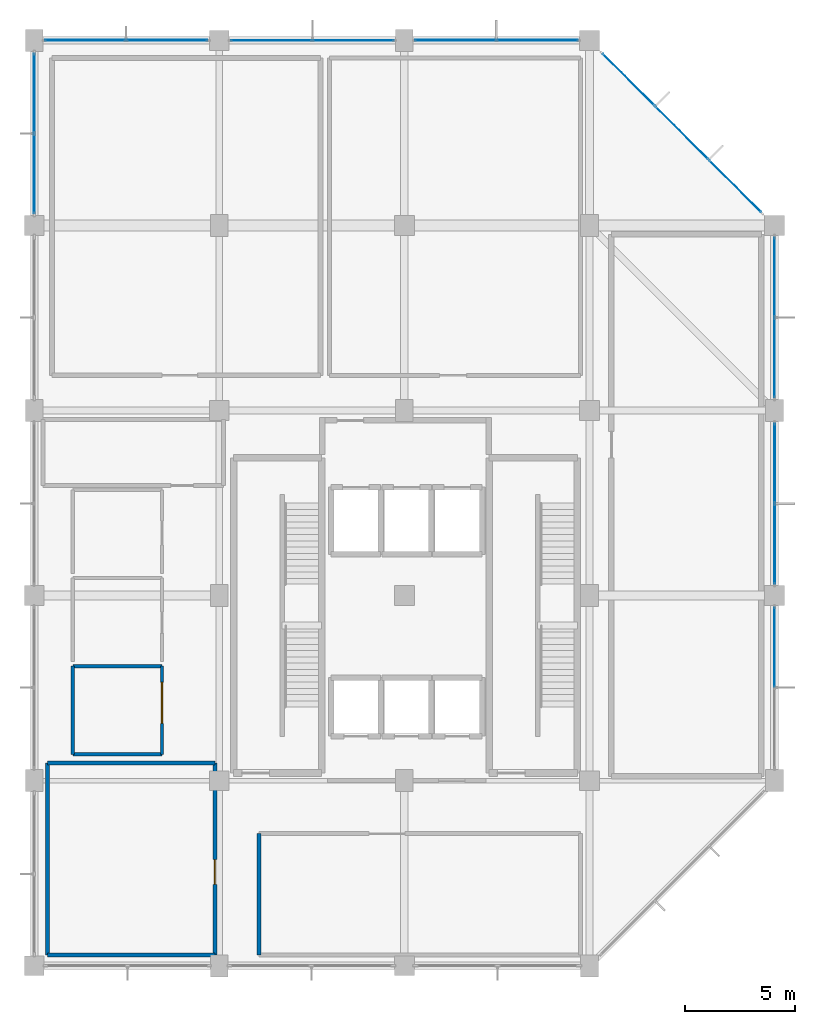
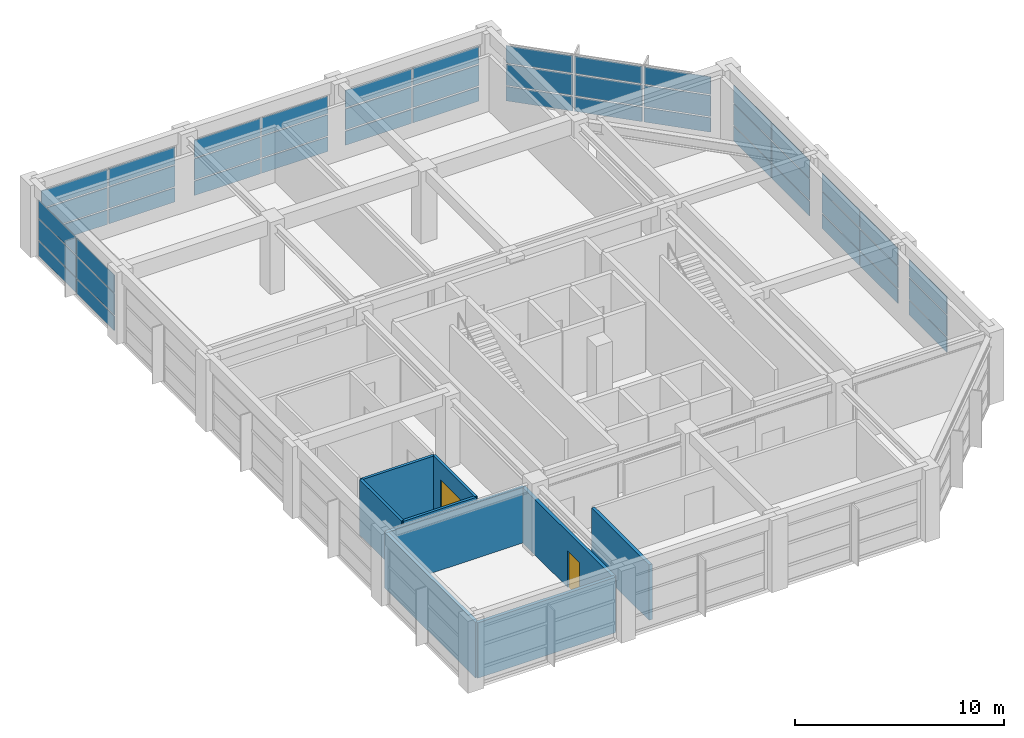
# One storey, part 9 of 12: 48 plates, 9 walls, 2 doors, 2 openings, 8 elements without a shape of their own.
"""IFC4 building model written with IfcOpenShell, lengths in metres."""

from ifc_helpers import new_model, si_unit, direction, frame, frame_2d, origin, origin_2d, place, context, subcontext, project, spatial, rectangle, extrude, material, layer, layer_set, type_object, element, fill, aggregate, save


model = new_model("IFC4")

# Units and contexts
model_context = context("Model", 3, precision=1e-05, world=origin(), true_north=direction((0.0, 1.0)))
body_context = subcontext(model_context, "Body", "Model", "MODEL_VIEW")
ifc_project = project(units=[si_unit("LENGTHUNIT", "METRE"), si_unit("AREAUNIT", "SQUARE_METRE"), si_unit("VOLUMEUNIT", "CUBIC_METRE"), si_unit("PLANEANGLEUNIT", "RADIAN"), si_unit("MASSUNIT", "GRAM", prefix="KILO")], contexts=[model_context])

# Site, building, storey
site_placement = place(None, origin())
site = spatial("IfcSite", under=ifc_project, at=site_placement, CompositionType="ELEMENT")
building_placement = place(site_placement, origin())
building = spatial("IfcBuilding", under=site, at=building_placement, Name="Xuanlan Plaza Opera House", CompositionType="ELEMENT")
storey_placement = place(building_placement, frame((0.0, 0.0, 65.699951171875)))
storey = spatial("IfcBuildingStorey", under=building, at=storey_placement, Name="L15", CompositionType="ELEMENT", Elevation=65.699951171875)

# Curtain wall, plates
ifc_material_1 = material(Name="Anodised Aluminium 6063-T6 and Low-E Glass", Category="aluminium")
curtain_wall_type_1 = type_object("IfcCurtainWallType", Name="ENV-CW-CW-01", PredefinedType="USERDEFINED", material=ifc_material_1)
curtain_wall_1_placement = place(storey_placement, origin())
curtain_wall_1 = element("IfcCurtainWall", 1, at=curtain_wall_1_placement, inside=storey, type_object=curtain_wall_type_1, Name="Unitised Curtain Wall L15-008", ObjectType="UNITISED CURTAIN WALL", PredefinedType="USERDEFINED")
ifc_material_2 = material(Name="Laminated Acoustic Double Glazing", Category="glass")
ifc_layer_1 = layer(ifc_material_2, 0.028076171875)
ifc_layer_set_1 = layer_set([ifc_layer_1], Name="Laminated Acoustic Double Glazing")
plate_type_1 = type_object("IfcPlateType", Name="ENV-CWP-01", PredefinedType="CURTAIN_PANEL", material=ifc_layer_set_1)
plate_1_placement = place(storey_placement, frame((157.818115234375, 77.3818359375, 0.0751953125), z_axis=(0.0, 0.0, 1.0), x_axis=(-0.707106781187, 0.707106781187, 0.0)))
plate_1 = element("IfcPlate", 2, at=plate_1_placement, type_object=plate_type_1, Name="CW-01 panel 1.1", PredefinedType="CURTAIN_PANEL", context=body_context, shape_type="SweptSolid", body=[
    extrude(rectangle(XDim=3.30712890625, YDim=0.028076171875, at=origin_2d()), origin(), (0.0, 0.0, 1.0), 0.83740234375),
])
plate_2_placement = place(storey_placement, frame((157.818115234375, 77.3818359375, 0.987548828125), z_axis=(0.0, 0.0, 1.0), x_axis=(-0.707106781187, 0.707106781187, 0.0)))
plate_2 = element("IfcPlate", 3, at=plate_2_placement, type_object=plate_type_1, Name="CW-01 panel 1.2", PredefinedType="CURTAIN_PANEL", context=body_context, shape_type="SweptSolid", body=[
    extrude(rectangle(XDim=3.30712890625, YDim=0.028076171875, at=origin_2d()), origin(), (0.0, 0.0, 1.0), 1.22509765625),
])
plate_3_placement = place(storey_placement, frame((157.818115234375, 77.3818359375, 2.28759765625), z_axis=(0.0, 0.0, 1.0), x_axis=(-0.707106781187, 0.707106781187, 0.0)))
plate_3 = element("IfcPlate", 4, at=plate_3_placement, type_object=plate_type_1, Name="CW-01 panel 1.3", PredefinedType="CURTAIN_PANEL", context=body_context, shape_type="SweptSolid", body=[
    extrude(rectangle(XDim=3.30712890625, YDim=0.028076171875, at=origin_2d()), origin(), (0.0, 0.0, 1.0), 1.017578125),
])
plate_4_placement = place(storey_placement, frame((155.39990234375, 79.800048828125, 0.0751953125), z_axis=(0.0, 0.0, 1.0), x_axis=(-0.707106781187, 0.707106781187, 0.0)))
plate_4 = element("IfcPlate", 5, at=plate_4_placement, type_object=plate_type_1, Name="CW-01 panel 2.1", PredefinedType="CURTAIN_PANEL", context=body_context, shape_type="SweptSolid", body=[
    extrude(rectangle(XDim=3.352294921875, YDim=0.028076171875, at=origin_2d()), origin(), (0.0, 0.0, 1.0), 0.83740234375),
])
plate_5_placement = place(storey_placement, frame((155.39990234375, 79.800048828125, 0.987548828125), z_axis=(0.0, 0.0, 1.0), x_axis=(-0.707106781187, 0.707106781187, 0.0)))
plate_5 = element("IfcPlate", 6, at=plate_5_placement, type_object=plate_type_1, Name="CW-01 panel 2.2", PredefinedType="CURTAIN_PANEL", context=body_context, shape_type="SweptSolid", body=[
    extrude(rectangle(XDim=3.352294921875, YDim=0.028076171875, at=origin_2d()), origin(), (0.0, 0.0, 1.0), 1.22509765625),
])
plate_6_placement = place(storey_placement, frame((155.39990234375, 79.800048828125, 2.28759765625), z_axis=(0.0, 0.0, 1.0), x_axis=(-0.707106781187, 0.707106781187, 0.0)))
plate_6 = element("IfcPlate", 7, at=plate_6_placement, type_object=plate_type_1, Name="CW-01 panel 2.3", PredefinedType="CURTAIN_PANEL", context=body_context, shape_type="SweptSolid", body=[
    extrude(rectangle(XDim=3.352294921875, YDim=0.028076171875, at=origin_2d()), origin(), (0.0, 0.0, 1.0), 1.017578125),
])
plate_7_placement = place(storey_placement, frame((152.98193359375, 82.218017578125, 0.0751953125), z_axis=(0.0, 0.0, 1.0), x_axis=(-0.707106781187, 0.707106781187, 0.0)))
plate_7 = element("IfcPlate", 8, at=plate_7_placement, type_object=plate_type_1, Name="CW-01 panel 3.1", PredefinedType="CURTAIN_PANEL", context=body_context, shape_type="SweptSolid", body=[
    extrude(rectangle(XDim=3.30712890625, YDim=0.028076171875, at=origin_2d()), origin(), (0.0, 0.0, 1.0), 0.83740234375),
])
plate_8_placement = place(storey_placement, frame((152.98193359375, 82.218017578125, 0.987548828125), z_axis=(0.0, 0.0, 1.0), x_axis=(-0.707106781187, 0.707106781187, 0.0)))
plate_8 = element("IfcPlate", 9, at=plate_8_placement, type_object=plate_type_1, Name="CW-01 panel 3.2", PredefinedType="CURTAIN_PANEL", context=body_context, shape_type="SweptSolid", body=[
    extrude(rectangle(XDim=3.30712890625, YDim=0.028076171875, at=origin_2d()), origin(), (0.0, 0.0, 1.0), 1.22509765625),
])
plate_9_placement = place(storey_placement, frame((152.98193359375, 82.218017578125, 2.28759765625), z_axis=(0.0, 0.0, 1.0), x_axis=(-0.707106781187, 0.707106781187, 0.0)))
plate_9 = element("IfcPlate", 10, at=plate_9_placement, type_object=plate_type_1, Name="CW-01 panel 3.3", PredefinedType="CURTAIN_PANEL", context=body_context, shape_type="SweptSolid", body=[
    extrude(rectangle(XDim=3.30712890625, YDim=0.028076171875, at=origin_2d()), origin(), (0.0, 0.0, 1.0), 1.017578125),
])
aggregate(curtain_wall_1, [plate_1, plate_2, plate_3, plate_4, plate_5, plate_6, plate_7, plate_8, plate_9])

curtain_wall_type_2 = type_object("IfcCurtainWallType", Name="ENV-CW-CW-02", PredefinedType="USERDEFINED", material=ifc_material_1)
curtain_wall_2_placement = place(storey_placement, origin())
curtain_wall_2 = element("IfcCurtainWall", 11, at=curtain_wall_2_placement, inside=storey, type_object=curtain_wall_type_2, Name="Unitised Curtain Wall L15-005", ObjectType="UNITISED CURTAIN WALL", PredefinedType="USERDEFINED")
ifc_layer_2 = layer(ifc_material_2, 0.031982421875)
ifc_layer_set_2 = layer_set([ifc_layer_2], Name="Laminated Acoustic Double Glazing")
plate_type_2 = type_object("IfcPlateType", Name="ENV-CWP-02", PredefinedType="CURTAIN_PANEL", material=ifc_layer_set_2)
plate_10_placement = place(storey_placement, frame((159.60009765625, 56.4599609375, 0.06982421875), z_axis=(0.0, 0.0, 1.0), x_axis=(0.0, 1.0, 0.0)))
plate_10 = element("IfcPlate", 12, at=plate_10_placement, type_object=plate_type_2, Name="CW-02 panel 2.1", PredefinedType="CURTAIN_PANEL", context=body_context, shape_type="SweptSolid", body=[
    extrude(rectangle(XDim=3.60009765625, YDim=0.031982421875, at=origin_2d()), origin(), (0.0, 0.0, 1.0), 0.844970703125),
])
plate_11_placement = place(storey_placement, frame((159.60009765625, 56.4599609375, 0.985107421875), z_axis=(0.0, 0.0, 1.0), x_axis=(0.0, 1.0, 0.0)))
plate_11 = element("IfcPlate", 13, at=plate_11_placement, type_object=plate_type_2, Name="CW-02 panel 2.2", PredefinedType="CURTAIN_PANEL", context=body_context, shape_type="SweptSolid", body=[
    extrude(rectangle(XDim=3.60009765625, YDim=0.031982421875, at=origin_2d()), origin(), (0.0, 0.0, 1.0), 1.22998046875),
])
plate_12_placement = place(storey_placement, frame((159.60009765625, 56.4599609375, 2.28515625), z_axis=(0.0, 0.0, 1.0), x_axis=(0.0, 1.0, 0.0)))
plate_12 = element("IfcPlate", 14, at=plate_12_placement, type_object=plate_type_2, Name="CW-02 panel 2.3", PredefinedType="CURTAIN_PANEL", context=body_context, shape_type="SweptSolid", body=[
    extrude(rectangle(XDim=3.60009765625, YDim=0.031982421875, at=origin_2d()), origin(), (0.0, 0.0, 1.0), 1.02490234375),
])
aggregate(curtain_wall_2, [plate_10, plate_11, plate_12])

curtain_wall_type_3 = type_object("IfcCurtainWallType", Name="ENV-CW-CW-03", PredefinedType="USERDEFINED", material=ifc_material_1)
curtain_wall_3_placement = place(storey_placement, origin())
curtain_wall_3 = element("IfcCurtainWall", 15, at=curtain_wall_3_placement, inside=storey, type_object=curtain_wall_type_3, Name="Unitised Curtain Wall L15-010", ObjectType="UNITISED CURTAIN WALL", PredefinedType="USERDEFINED")
plate_13_placement = place(storey_placement, frame((140.485107421875, 84.0, 0.06982421875), z_axis=(0.0, 0.0, 1.0), x_axis=(-1.0, 0.0, 0.0)))
plate_13 = element("IfcPlate", 16, at=plate_13_placement, type_object=plate_type_2, Name="CW-03 panel 1.1", PredefinedType="CURTAIN_PANEL", context=body_context, shape_type="SweptSolid", body=[
    extrude(rectangle(XDim=3.64990234375, YDim=0.031982421875, at=origin_2d()), origin(), (0.0, 0.0, 1.0), 0.844970703125),
])
plate_14_placement = place(storey_placement, frame((140.485107421875, 84.0, 0.985107421875), z_axis=(0.0, 0.0, 1.0), x_axis=(-1.0, 0.0, 0.0)))
plate_14 = element("IfcPlate", 17, at=plate_14_placement, type_object=plate_type_2, Name="CW-03 panel 1.2", PredefinedType="CURTAIN_PANEL", context=body_context, shape_type="SweptSolid", body=[
    extrude(rectangle(XDim=3.64990234375, YDim=0.031982421875, at=origin_2d()), origin(), (0.0, 0.0, 1.0), 1.22998046875),
])
plate_15_placement = place(storey_placement, frame((140.485107421875, 84.0, 2.28515625), z_axis=(0.0, 0.0, 1.0), x_axis=(-1.0, 0.0, 0.0)))
plate_15 = element("IfcPlate", 18, at=plate_15_placement, type_object=plate_type_2, Name="CW-03 panel 1.3", PredefinedType="CURTAIN_PANEL", context=body_context, shape_type="SweptSolid", body=[
    extrude(rectangle(XDim=3.64990234375, YDim=0.031982421875, at=origin_2d()), origin(), (0.0, 0.0, 1.0), 1.02490234375),
])
plate_16_placement = place(storey_placement, frame((136.764892578125, 84.0, 0.06982421875), z_axis=(0.0, 0.0, 1.0), x_axis=(-1.0, 0.0, 0.0)))
plate_16 = element("IfcPlate", 19, at=plate_16_placement, type_object=plate_type_2, Name="CW-03 panel 2.1", PredefinedType="CURTAIN_PANEL", context=body_context, shape_type="SweptSolid", body=[
    extrude(rectangle(XDim=3.64990234375, YDim=0.031982421875, at=origin_2d()), origin(), (0.0, 0.0, 1.0), 0.844970703125),
])
plate_17_placement = place(storey_placement, frame((136.764892578125, 84.0, 0.985107421875), z_axis=(0.0, 0.0, 1.0), x_axis=(-1.0, 0.0, 0.0)))
plate_17 = element("IfcPlate", 20, at=plate_17_placement, type_object=plate_type_2, Name="CW-03 panel 2.2", PredefinedType="CURTAIN_PANEL", context=body_context, shape_type="SweptSolid", body=[
    extrude(rectangle(XDim=3.64990234375, YDim=0.031982421875, at=origin_2d()), origin(), (0.0, 0.0, 1.0), 1.22998046875),
])
plate_18_placement = place(storey_placement, frame((136.764892578125, 84.0, 2.28515625), z_axis=(0.0, 0.0, 1.0), x_axis=(-1.0, 0.0, 0.0)))
plate_18 = element("IfcPlate", 21, at=plate_18_placement, type_object=plate_type_2, Name="CW-03 panel 2.3", PredefinedType="CURTAIN_PANEL", context=body_context, shape_type="SweptSolid", body=[
    extrude(rectangle(XDim=3.64990234375, YDim=0.031982421875, at=origin_2d()), origin(), (0.0, 0.0, 1.0), 1.02490234375),
])
aggregate(curtain_wall_3, [plate_13, plate_14, plate_15, plate_16, plate_17, plate_18])

curtain_wall_type_4 = type_object("IfcCurtainWallType", Name="ENV-CW-CW-04", PredefinedType="USERDEFINED", material=ifc_material_1)
curtain_wall_4_placement = place(storey_placement, origin())
curtain_wall_4 = element("IfcCurtainWall", 22, at=curtain_wall_4_placement, inside=storey, type_object=curtain_wall_type_4, Name="Unitised Curtain Wall L15-007", ObjectType="UNITISED CURTAIN WALL", PredefinedType="USERDEFINED")
ifc_layer_3 = layer(ifc_material_2, 0.035888671875)
ifc_layer_set_3 = layer_set([ifc_layer_3], Name="Laminated Acoustic Double Glazing")
plate_type_3 = type_object("IfcPlateType", Name="ENV-CWP-03", PredefinedType="CURTAIN_PANEL", material=ifc_layer_set_3)
plate_19_placement = place(storey_placement, frame((159.60009765625, 69.592529296875, 0.06494140625), z_axis=(0.0, 0.0, 1.0), x_axis=(0.0, 1.0, 0.0)))
plate_19 = element("IfcPlate", 23, at=plate_19_placement, type_object=plate_type_3, Name="CW-04 panel 1.1", PredefinedType="CURTAIN_PANEL", context=body_context, shape_type="SweptSolid", body=[
    extrude(rectangle(XDim=3.5849609375, YDim=0.035888671875, at=origin_2d()), origin(), (0.0, 0.0, 1.0), 0.8525390625),
])
plate_20_placement = place(storey_placement, frame((159.60009765625, 69.592529296875, 0.982421875), z_axis=(0.0, 0.0, 1.0), x_axis=(0.0, 1.0, 0.0)))
plate_20 = element("IfcPlate", 24, at=plate_20_placement, type_object=plate_type_3, Name="CW-04 panel 1.2", PredefinedType="CURTAIN_PANEL", context=body_context, shape_type="SweptSolid", body=[
    extrude(rectangle(XDim=3.5849609375, YDim=0.035888671875, at=origin_2d()), origin(), (0.0, 0.0, 1.0), 1.235107421875),
])
plate_21_placement = place(storey_placement, frame((159.60009765625, 69.592529296875, 2.28271484375), z_axis=(0.0, 0.0, 1.0), x_axis=(0.0, 1.0, 0.0)))
plate_21 = element("IfcPlate", 25, at=plate_21_placement, type_object=plate_type_3, Name="CW-04 panel 1.3", PredefinedType="CURTAIN_PANEL", context=body_context, shape_type="SweptSolid", body=[
    extrude(rectangle(XDim=3.5849609375, YDim=0.035888671875, at=origin_2d()), origin(), (0.0, 0.0, 1.0), 1.032470703125),
])
plate_22_placement = place(storey_placement, frame((159.60009765625, 73.257568359375, 0.06494140625), z_axis=(0.0, 0.0, 1.0), x_axis=(0.0, 1.0, 0.0)))
plate_22 = element("IfcPlate", 26, at=plate_22_placement, type_object=plate_type_3, Name="CW-04 panel 2.1", PredefinedType="CURTAIN_PANEL", context=body_context, shape_type="SweptSolid", body=[
    extrude(rectangle(XDim=3.5849609375, YDim=0.035888671875, at=origin_2d()), origin(), (0.0, 0.0, 1.0), 0.8525390625),
])
plate_23_placement = place(storey_placement, frame((159.60009765625, 73.257568359375, 0.982421875), z_axis=(0.0, 0.0, 1.0), x_axis=(0.0, 1.0, 0.0)))
plate_23 = element("IfcPlate", 27, at=plate_23_placement, type_object=plate_type_3, Name="CW-04 panel 2.2", PredefinedType="CURTAIN_PANEL", context=body_context, shape_type="SweptSolid", body=[
    extrude(rectangle(XDim=3.5849609375, YDim=0.035888671875, at=origin_2d()), origin(), (0.0, 0.0, 1.0), 1.235107421875),
])
plate_24_placement = place(storey_placement, frame((159.60009765625, 73.257568359375, 2.28271484375), z_axis=(0.0, 0.0, 1.0), x_axis=(0.0, 1.0, 0.0)))
plate_24 = element("IfcPlate", 28, at=plate_24_placement, type_object=plate_type_3, Name="CW-04 panel 2.3", PredefinedType="CURTAIN_PANEL", context=body_context, shape_type="SweptSolid", body=[
    extrude(rectangle(XDim=3.5849609375, YDim=0.035888671875, at=origin_2d()), origin(), (0.0, 0.0, 1.0), 1.032470703125),
])
aggregate(curtain_wall_4, [plate_19, plate_20, plate_21, plate_22, plate_23, plate_24])

curtain_wall_5_placement = place(storey_placement, origin())
curtain_wall_5 = element("IfcCurtainWall", 29, at=curtain_wall_5_placement, inside=storey, type_object=curtain_wall_type_1, Name="Unitised Curtain Wall L15-012", ObjectType="UNITISED CURTAIN WALL", PredefinedType="USERDEFINED")
plate_25_placement = place(storey_placement, frame((126.0, 81.607421875, 0.06494140625), z_axis=(0.0, 0.0, 1.0), x_axis=(0.0, -1.0, 0.0)))
plate_25 = element("IfcPlate", 30, at=plate_25_placement, type_object=plate_type_3, Name="CW-01 panel 1.1", PredefinedType="CURTAIN_PANEL", context=body_context, shape_type="SweptSolid", body=[
    extrude(rectangle(XDim=3.5849609375, YDim=0.035888671875, at=origin_2d()), origin(), (0.0, 0.0, 1.0), 0.8525390625),
])
plate_26_placement = place(storey_placement, frame((126.0, 81.607421875, 0.982421875), z_axis=(0.0, 0.0, 1.0), x_axis=(0.0, -1.0, 0.0)))
plate_26 = element("IfcPlate", 31, at=plate_26_placement, type_object=plate_type_3, Name="CW-01 panel 1.2", PredefinedType="CURTAIN_PANEL", context=body_context, shape_type="SweptSolid", body=[
    extrude(rectangle(XDim=3.5849609375, YDim=0.035888671875, at=origin_2d()), origin(), (0.0, 0.0, 1.0), 1.235107421875),
])
plate_27_placement = place(storey_placement, frame((126.0, 81.607421875, 2.28271484375), z_axis=(0.0, 0.0, 1.0), x_axis=(0.0, -1.0, 0.0)))
plate_27 = element("IfcPlate", 32, at=plate_27_placement, type_object=plate_type_3, Name="CW-01 panel 1.3", PredefinedType="CURTAIN_PANEL", context=body_context, shape_type="SweptSolid", body=[
    extrude(rectangle(XDim=3.5849609375, YDim=0.035888671875, at=origin_2d()), origin(), (0.0, 0.0, 1.0), 1.032470703125),
])
plate_28_placement = place(storey_placement, frame((126.0, 77.9423828125, 0.06494140625), z_axis=(0.0, 0.0, 1.0), x_axis=(0.0, -1.0, 0.0)))
plate_28 = element("IfcPlate", 33, at=plate_28_placement, type_object=plate_type_3, Name="CW-01 panel 2.1", PredefinedType="CURTAIN_PANEL", context=body_context, shape_type="SweptSolid", body=[
    extrude(rectangle(XDim=3.5849609375, YDim=0.035888671875, at=origin_2d()), origin(), (0.0, 0.0, 1.0), 0.8525390625),
])
plate_29_placement = place(storey_placement, frame((126.0, 77.9423828125, 0.982421875), z_axis=(0.0, 0.0, 1.0), x_axis=(0.0, -1.0, 0.0)))
plate_29 = element("IfcPlate", 34, at=plate_29_placement, type_object=plate_type_3, Name="CW-01 panel 2.2", PredefinedType="CURTAIN_PANEL", context=body_context, shape_type="SweptSolid", body=[
    extrude(rectangle(XDim=3.5849609375, YDim=0.035888671875, at=origin_2d()), origin(), (0.0, 0.0, 1.0), 1.235107421875),
])
plate_30_placement = place(storey_placement, frame((126.0, 77.9423828125, 2.28271484375), z_axis=(0.0, 0.0, 1.0), x_axis=(0.0, -1.0, 0.0)))
plate_30 = element("IfcPlate", 35, at=plate_30_placement, type_object=plate_type_3, Name="CW-01 panel 2.3", PredefinedType="CURTAIN_PANEL", context=body_context, shape_type="SweptSolid", body=[
    extrude(rectangle(XDim=3.5849609375, YDim=0.035888671875, at=origin_2d()), origin(), (0.0, 0.0, 1.0), 1.032470703125),
])
aggregate(curtain_wall_5, [plate_25, plate_26, plate_27, plate_28, plate_29, plate_30])

curtain_wall_6_placement = place(storey_placement, origin())
curtain_wall_6 = element("IfcCurtainWall", 36, at=curtain_wall_6_placement, inside=storey, type_object=curtain_wall_type_2, Name="Unitised Curtain Wall L15-009", ObjectType="UNITISED CURTAIN WALL", PredefinedType="USERDEFINED")
ifc_layer_4 = layer(ifc_material_2, 0.0400390625)
ifc_layer_set_4 = layer_set([ifc_layer_4], Name="Laminated Acoustic Double Glazing")
plate_type_4 = type_object("IfcPlateType", Name="ENV-CWP-04", PredefinedType="CURTAIN_PANEL", material=ifc_layer_set_4)
plate_31_placement = place(storey_placement, frame((148.836181640625, 84.0, 0.090087890625), z_axis=(0.0, 0.0, 1.0), x_axis=(-1.0, 0.0, 0.0)))
plate_31 = element("IfcPlate", 37, at=plate_31_placement, type_object=plate_type_4, Name="CW-02 panel 1.1", PredefinedType="CURTAIN_PANEL", context=body_context, shape_type="SweptSolid", body=[
    extrude(rectangle(XDim=3.657470703125, YDim=0.0400390625, at=origin_2d()), origin(), (0.0, 0.0, 1.0), 0.81494140625),
])
plate_32_placement = place(storey_placement, frame((148.836181640625, 84.0, 0.9951171875), z_axis=(0.0, 0.0, 1.0), x_axis=(-1.0, 0.0, 0.0)))
plate_32 = element("IfcPlate", 38, at=plate_32_placement, type_object=plate_type_4, Name="CW-02 panel 1.2", PredefinedType="CURTAIN_PANEL", context=body_context, shape_type="SweptSolid", body=[
    extrude(rectangle(XDim=3.657470703125, YDim=0.0400390625, at=origin_2d()), origin(), (0.0, 0.0, 1.0), 1.2099609375),
])
plate_33_placement = place(storey_placement, frame((148.836181640625, 84.0, 2.294921875), z_axis=(0.0, 0.0, 1.0), x_axis=(-1.0, 0.0, 0.0)))
plate_33 = element("IfcPlate", 39, at=plate_33_placement, type_object=plate_type_4, Name="CW-02 panel 1.3", PredefinedType="CURTAIN_PANEL", context=body_context, shape_type="SweptSolid", body=[
    extrude(rectangle(XDim=3.657470703125, YDim=0.0400390625, at=origin_2d()), origin(), (0.0, 0.0, 1.0), 0.9951171875),
])
plate_34_placement = place(storey_placement, frame((145.11376953125, 84.0, 0.090087890625), z_axis=(0.0, 0.0, 1.0), x_axis=(-1.0, 0.0, 0.0)))
plate_34 = element("IfcPlate", 40, at=plate_34_placement, type_object=plate_type_4, Name="CW-02 panel 2.1", PredefinedType="CURTAIN_PANEL", context=body_context, shape_type="SweptSolid", body=[
    extrude(rectangle(XDim=3.657470703125, YDim=0.0400390625, at=origin_2d()), origin(), (0.0, 0.0, 1.0), 0.81494140625),
])
plate_35_placement = place(storey_placement, frame((145.11376953125, 84.0, 0.9951171875), z_axis=(0.0, 0.0, 1.0), x_axis=(-1.0, 0.0, 0.0)))
plate_35 = element("IfcPlate", 41, at=plate_35_placement, type_object=plate_type_4, Name="CW-02 panel 2.2", PredefinedType="CURTAIN_PANEL", context=body_context, shape_type="SweptSolid", body=[
    extrude(rectangle(XDim=3.657470703125, YDim=0.0400390625, at=origin_2d()), origin(), (0.0, 0.0, 1.0), 1.2099609375),
])
plate_36_placement = place(storey_placement, frame((145.11376953125, 84.0, 2.294921875), z_axis=(0.0, 0.0, 1.0), x_axis=(-1.0, 0.0, 0.0)))
plate_36 = element("IfcPlate", 42, at=plate_36_placement, type_object=plate_type_4, Name="CW-02 panel 2.3", PredefinedType="CURTAIN_PANEL", context=body_context, shape_type="SweptSolid", body=[
    extrude(rectangle(XDim=3.657470703125, YDim=0.0400390625, at=origin_2d()), origin(), (0.0, 0.0, 1.0), 0.9951171875),
])
aggregate(curtain_wall_6, [plate_31, plate_32, plate_33, plate_34, plate_35, plate_36])

curtain_wall_7_placement = place(storey_placement, origin())
curtain_wall_7 = element("IfcCurtainWall", 43, at=curtain_wall_7_placement, inside=storey, type_object=curtain_wall_type_3, Name="Unitised Curtain Wall L15-006", ObjectType="UNITISED CURTAIN WALL", PredefinedType="USERDEFINED")
ifc_layer_5 = layer(ifc_material_2, 0.0439453125)
ifc_layer_set_5 = layer_set([ifc_layer_5], Name="Laminated Acoustic Double Glazing")
plate_type_5 = type_object("IfcPlateType", Name="ENV-CWP-05", PredefinedType="CURTAIN_PANEL", material=ifc_layer_set_5)
plate_37_placement = place(storey_placement, frame((159.60009765625, 61.141357421875, 0.080078125), z_axis=(0.0, 0.0, 1.0), x_axis=(0.0, 1.0, 0.0)))
plate_37 = element("IfcPlate", 44, at=plate_37_placement, type_object=plate_type_5, Name="CW-03 panel 1.1", PredefinedType="CURTAIN_PANEL", context=body_context, shape_type="SweptSolid", body=[
    extrude(rectangle(XDim=3.592529296875, YDim=0.0439453125, at=origin_2d()), origin(), (0.0, 0.0, 1.0), 0.830078125),
])
plate_38_placement = place(storey_placement, frame((159.60009765625, 61.141357421875, 0.990234375), z_axis=(0.0, 0.0, 1.0), x_axis=(0.0, 1.0, 0.0)))
plate_38 = element("IfcPlate", 45, at=plate_38_placement, type_object=plate_type_5, Name="CW-03 panel 1.2", PredefinedType="CURTAIN_PANEL", context=body_context, shape_type="SweptSolid", body=[
    extrude(rectangle(XDim=3.592529296875, YDim=0.0439453125, at=origin_2d()), origin(), (0.0, 0.0, 1.0), 1.219970703125),
])
plate_39_placement = place(storey_placement, frame((159.60009765625, 61.141357421875, 2.2900390625), z_axis=(0.0, 0.0, 1.0), x_axis=(0.0, 1.0, 0.0)))
plate_39 = element("IfcPlate", 46, at=plate_39_placement, type_object=plate_type_5, Name="CW-03 panel 1.3", PredefinedType="CURTAIN_PANEL", context=body_context, shape_type="SweptSolid", body=[
    extrude(rectangle(XDim=3.592529296875, YDim=0.0439453125, at=origin_2d()), origin(), (0.0, 0.0, 1.0), 1.010009765625),
])
plate_40_placement = place(storey_placement, frame((159.60009765625, 64.808837890625, 0.080078125), z_axis=(0.0, 0.0, 1.0), x_axis=(0.0, 1.0, 0.0)))
plate_40 = element("IfcPlate", 47, at=plate_40_placement, type_object=plate_type_5, Name="CW-03 panel 2.1", PredefinedType="CURTAIN_PANEL", context=body_context, shape_type="SweptSolid", body=[
    extrude(rectangle(XDim=3.592529296875, YDim=0.0439453125, at=origin_2d()), origin(), (0.0, 0.0, 1.0), 0.830078125),
])
plate_41_placement = place(storey_placement, frame((159.60009765625, 64.808837890625, 0.990234375), z_axis=(0.0, 0.0, 1.0), x_axis=(0.0, 1.0, 0.0)))
plate_41 = element("IfcPlate", 48, at=plate_41_placement, type_object=plate_type_5, Name="CW-03 panel 2.2", PredefinedType="CURTAIN_PANEL", context=body_context, shape_type="SweptSolid", body=[
    extrude(rectangle(XDim=3.592529296875, YDim=0.0439453125, at=origin_2d()), origin(), (0.0, 0.0, 1.0), 1.219970703125),
])
plate_42_placement = place(storey_placement, frame((159.60009765625, 64.808837890625, 2.2900390625), z_axis=(0.0, 0.0, 1.0), x_axis=(0.0, 1.0, 0.0)))
plate_42 = element("IfcPlate", 49, at=plate_42_placement, type_object=plate_type_5, Name="CW-03 panel 2.3", PredefinedType="CURTAIN_PANEL", context=body_context, shape_type="SweptSolid", body=[
    extrude(rectangle(XDim=3.592529296875, YDim=0.0439453125, at=origin_2d()), origin(), (0.0, 0.0, 1.0), 1.010009765625),
])
aggregate(curtain_wall_7, [plate_37, plate_38, plate_39, plate_40, plate_41, plate_42])

curtain_wall_8_placement = place(storey_placement, origin())
curtain_wall_8 = element("IfcCurtainWall", 50, at=curtain_wall_8_placement, inside=storey, type_object=curtain_wall_type_4, Name="Unitised Curtain Wall L15-011", ObjectType="UNITISED CURTAIN WALL", PredefinedType="USERDEFINED")
plate_43_placement = place(storey_placement, frame((132.03369140625, 84.0, 0.080078125), z_axis=(0.0, 0.0, 1.0), x_axis=(-1.0, 0.0, 0.0)))
plate_43 = element("IfcPlate", 51, at=plate_43_placement, type_object=plate_type_5, Name="CW-04 panel 1.1", PredefinedType="CURTAIN_PANEL", context=body_context, shape_type="SweptSolid", body=[
    extrude(rectangle(XDim=3.642578125, YDim=0.0439453125, at=origin_2d()), origin(), (0.0, 0.0, 1.0), 0.830078125),
])
plate_44_placement = place(storey_placement, frame((132.03369140625, 84.0, 0.990234375), z_axis=(0.0, 0.0, 1.0), x_axis=(-1.0, 0.0, 0.0)))
plate_44 = element("IfcPlate", 52, at=plate_44_placement, type_object=plate_type_5, Name="CW-04 panel 1.2", PredefinedType="CURTAIN_PANEL", context=body_context, shape_type="SweptSolid", body=[
    extrude(rectangle(XDim=3.642578125, YDim=0.0439453125, at=origin_2d()), origin(), (0.0, 0.0, 1.0), 1.219970703125),
])
plate_45_placement = place(storey_placement, frame((132.03369140625, 84.0, 2.2900390625), z_axis=(0.0, 0.0, 1.0), x_axis=(-1.0, 0.0, 0.0)))
plate_45 = element("IfcPlate", 53, at=plate_45_placement, type_object=plate_type_5, Name="CW-04 panel 1.3", PredefinedType="CURTAIN_PANEL", context=body_context, shape_type="SweptSolid", body=[
    extrude(rectangle(XDim=3.642578125, YDim=0.0439453125, at=origin_2d()), origin(), (0.0, 0.0, 1.0), 1.010009765625),
])
plate_46_placement = place(storey_placement, frame((128.316162109375, 84.0, 0.080078125), z_axis=(0.0, 0.0, 1.0), x_axis=(-1.0, 0.0, 0.0)))
plate_46 = element("IfcPlate", 54, at=plate_46_placement, type_object=plate_type_5, Name="CW-04 panel 2.1", PredefinedType="CURTAIN_PANEL", context=body_context, shape_type="SweptSolid", body=[
    extrude(rectangle(XDim=3.642578125, YDim=0.0439453125, at=origin_2d()), origin(), (0.0, 0.0, 1.0), 0.830078125),
])
plate_47_placement = place(storey_placement, frame((128.316162109375, 84.0, 0.990234375), z_axis=(0.0, 0.0, 1.0), x_axis=(-1.0, 0.0, 0.0)))
plate_47 = element("IfcPlate", 55, at=plate_47_placement, type_object=plate_type_5, Name="CW-04 panel 2.2", PredefinedType="CURTAIN_PANEL", context=body_context, shape_type="SweptSolid", body=[
    extrude(rectangle(XDim=3.642578125, YDim=0.0439453125, at=origin_2d()), origin(), (0.0, 0.0, 1.0), 1.219970703125),
])
plate_48_placement = place(storey_placement, frame((128.316162109375, 84.0, 2.2900390625), z_axis=(0.0, 0.0, 1.0), x_axis=(-1.0, 0.0, 0.0)))
plate_48 = element("IfcPlate", 56, at=plate_48_placement, type_object=plate_type_5, Name="CW-04 panel 2.3", PredefinedType="CURTAIN_PANEL", context=body_context, shape_type="SweptSolid", body=[
    extrude(rectangle(XDim=3.642578125, YDim=0.0439453125, at=origin_2d()), origin(), (0.0, 0.0, 1.0), 1.010009765625),
])
aggregate(curtain_wall_8, [plate_43, plate_44, plate_45, plate_46, plate_47, plate_48])

# Walls
ifc_material_3 = material(Name="Gypsum Board and Galvanised Steel Studs", Category="gypsum")
ifc_layer_6 = layer(ifc_material_3, 0.179931640625)
ifc_layer_set_6 = layer_set([ifc_layer_6], Name="Gypsum Board and Galvanised Steel Studs")
wall_type_1 = type_object("IfcWallType", Name="INT-WL-PW-02", PredefinedType="PARTITIONING", material=ifc_layer_set_6)
for number, where, z_axis, x_axis, name in (
    (57, (126.60009765625, 42.5, 0.0), (0.0, 0.0, 1.0), (1.0, 0.0, 0.0), "Curatorial Research Office Wall South"),
    (58, (126.60009765625, 51.199951171875, 0.0), (0.0, 0.0, 1.0), (1.0, 0.0, 0.0), "Curatorial Research Office Wall North"),
):
    element("IfcWall", number, at=place(storey_placement, frame(where, z_axis=z_axis, x_axis=x_axis)), inside=storey, type_object=wall_type_1, Name=name, PredefinedType="PARTITIONING", context=body_context, shape_type="SweptSolid", body=[
        extrude(rectangle(XDim=7.599853515625, YDim=0.179931640625, at=frame_2d((3.7998046875, 0.0))), origin(), (0.0, 0.0, 1.0), 3.239990234375),
    ])
wall_1_placement = place(storey_placement, frame((126.60009765625, 42.5, 0.0), z_axis=(0.0, 0.0, 1.0), x_axis=(0.0, 1.0, 0.0)))
element("IfcWall", 59, at=wall_1_placement, inside=storey, type_object=wall_type_1, Name="Curatorial Research Office Wall West", PredefinedType="PARTITIONING", context=body_context, shape_type="SweptSolid", body=[
    extrude(rectangle(XDim=8.699951171875, YDim=0.179931640625, at=frame_2d((4.35009765625, 0.0))), origin(), (0.0, 0.0, 1.0), 3.239990234375),
])

# Wall, opening, door
wall_2_placement = place(storey_placement, frame((134.199951171875, 42.5, 0.0), z_axis=(0.0, 0.0, 1.0), x_axis=(0.0, 1.0, 0.0)))
wall_2 = element("IfcWall", 60, at=wall_2_placement, inside=storey, type_object=wall_type_1, Name="Curatorial Research Office Wall East", PredefinedType="PARTITIONING", context=body_context, shape_type="SweptSolid", body=[
    extrude(rectangle(XDim=8.699951171875, YDim=0.179931640625, at=frame_2d((4.35009765625, 0.0))), origin(), (0.0, 0.0, 1.0), 3.239990234375),
])
opening_1_placement = place(wall_2_placement, frame((3.199951171875, 0.0, 0.0)))
opening_1 = element("IfcOpeningElement", 61, at=opening_1_placement, cuts=wall_2, Name="Opening D-10", PredefinedType="OPENING", context=body_context, shape_type="SweptSolid", body=[
    extrude(rectangle(XDim=1.1201171875, YDim=2.139892578125, at=frame_2d((0.56005859375, 1.06982421875))), frame((0.0, 0.099853515625, 0.0), z_axis=(0.0, -1.0, 0.0), x_axis=(1.0, 0.0, 0.0)), (0.0, 0.0, 1.0), 0.199951171875),
])
ifc_material_4 = material(Name="Oak Hardwood Timber", Category="wood")
door_type_1 = type_object("IfcDoorType", Name="INT-DR-D-10", OperationType="NOTDEFINED", PredefinedType="DOOR", material=ifc_material_4)
door_1_placement = place(opening_1_placement, origin())
door_1 = element("IfcDoor", 62, at=door_1_placement, inside=storey, type_object=door_type_1, Name="Curatorial Research Office Door 1", OperationType="SINGLE_SWING_RIGHT", OverallHeight=2.139892578125, OverallWidth=1.1201171875, PredefinedType="DOOR", context=body_context, shape_type="SweptSolid", body=[
    extrude(rectangle(XDim=1.1201171875, YDim=2.139892578125, at=frame_2d((0.56005859375, 1.06982421875))), frame((0.0, 0.02490234375, 0.0), z_axis=(0.0, -1.0, 0.0), x_axis=(1.0, 0.0, 0.0)), (0.0, 0.0, 1.0), 0.050048828125),
])
fill(opening_1, door_1)

# Walls
wall_3_placement = place(storey_placement, frame((136.199951171875, 42.5, 0.0), z_axis=(0.0, 0.0, 1.0), x_axis=(0.0, 1.0, 0.0)))
element("IfcWall", 63, at=wall_3_placement, inside=storey, type_object=wall_type_1, Name="Chamber Music Coaching Studio Wall West", PredefinedType="PARTITIONING", context=body_context, shape_type="SweptSolid", body=[
    extrude(rectangle(XDim=5.5, YDim=0.179931640625, at=frame_2d((2.75, 0.0))), origin(), (0.0, 0.0, 1.0), 3.239990234375),
])
ifc_material_5 = material(Name="Autoclaved Aerated Blockwork Masonry", Category="masonry")
ifc_layer_7 = layer(ifc_material_5, 0.14990234375)
ifc_layer_set_7 = layer_set([ifc_layer_7], Name="Autoclaved Aerated Blockwork Masonry")
wall_type_2 = type_object("IfcWallType", Name="INT-WL-PW-03", PredefinedType="PARTITIONING", material=ifc_layer_set_7)
for number, where, z_axis, x_axis, name in (
    (64, (127.75, 51.60009765625, 0.0), (0.0, 0.0, 1.0), (1.0, 0.0, 0.0), "Public WC Wall South"),
    (65, (127.75, 55.60009765625, 0.0), (0.0, 0.0, 1.0), (1.0, 0.0, 0.0), "Public WC Wall North"),
):
    element("IfcWall", number, at=place(storey_placement, frame(where, z_axis=z_axis, x_axis=x_axis)), inside=storey, type_object=wall_type_2, Name=name, PredefinedType="PARTITIONING", context=body_context, shape_type="SweptSolid", body=[
        extrude(rectangle(XDim=4.050048828125, YDim=0.14990234375, at=frame_2d((2.02490234375, 0.0))), origin(), (0.0, 0.0, 1.0), 3.239990234375),
    ])
wall_4_placement = place(storey_placement, frame((127.75, 51.60009765625, 0.0), z_axis=(0.0, 0.0, 1.0), x_axis=(0.0, 1.0, 0.0)))
element("IfcWall", 66, at=wall_4_placement, inside=storey, type_object=wall_type_2, Name="Public WC Wall West", PredefinedType="PARTITIONING", context=body_context, shape_type="SweptSolid", body=[
    extrude(rectangle(XDim=4.0, YDim=0.14990234375, at=frame_2d((2.0, 0.0))), origin(), (0.0, 0.0, 1.0), 3.239990234375),
])

# Wall, opening, door
wall_5_placement = place(storey_placement, frame((131.800048828125, 51.60009765625, 0.0), z_axis=(0.0, 0.0, 1.0), x_axis=(0.0, 1.0, 0.0)))
wall_5 = element("IfcWall", 67, at=wall_5_placement, inside=storey, type_object=wall_type_2, Name="Public WC Wall East", PredefinedType="PARTITIONING", context=body_context, shape_type="SweptSolid", body=[
    extrude(rectangle(XDim=4.0, YDim=0.14990234375, at=frame_2d((2.0, 0.0))), origin(), (0.0, 0.0, 1.0), 3.239990234375),
])
opening_2_placement = place(wall_5_placement, frame((1.39990234375, 0.0, 0.0)))
opening_2 = element("IfcOpeningElement", 68, at=opening_2_placement, cuts=wall_5, Name="Opening D-15", PredefinedType="OPENING", context=body_context, shape_type="SweptSolid", body=[
    extrude(rectangle(XDim=1.860107421875, YDim=2.260009765625, at=frame_2d((0.93017578125, 1.1298828125))), frame((0.0, 0.0849609375, 0.0), z_axis=(0.0, -1.0, 0.0), x_axis=(1.0, 0.0, 0.0)), (0.0, 0.0, 1.0), 0.169921875),
])
ifc_material_6 = material(Name="Walnut Hardwood Timber", Category="wood")
door_type_2 = type_object("IfcDoorType", Name="INT-DR-D-15", OperationType="DOUBLE_DOOR_SINGLE_SWING", PredefinedType="DOOR", material=ifc_material_6)
door_2_placement = place(opening_2_placement, origin())
door_2 = element("IfcDoor", 69, at=door_2_placement, inside=storey, type_object=door_type_2, Name="Public WC Door 1", OperationType="DOUBLE_DOOR_SINGLE_SWING", OverallHeight=2.260009765625, OverallWidth=1.860107421875, PredefinedType="DOOR", context=body_context, shape_type="SweptSolid", body=[
    extrude(rectangle(XDim=1.860107421875, YDim=2.260009765625, at=frame_2d((0.93017578125, 1.1298828125))), frame((0.0, 0.02490234375, 0.0), z_axis=(0.0, -1.0, 0.0), x_axis=(1.0, 0.0, 0.0)), (0.0, 0.0, 1.0), 0.050048828125),
])
fill(opening_2, door_2)

save(model, "model.ifc")
